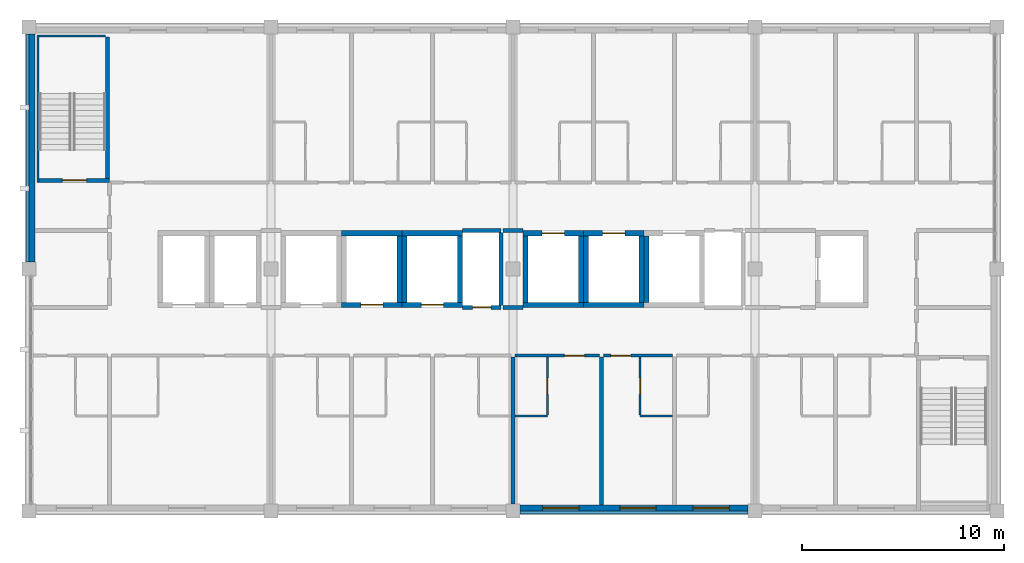
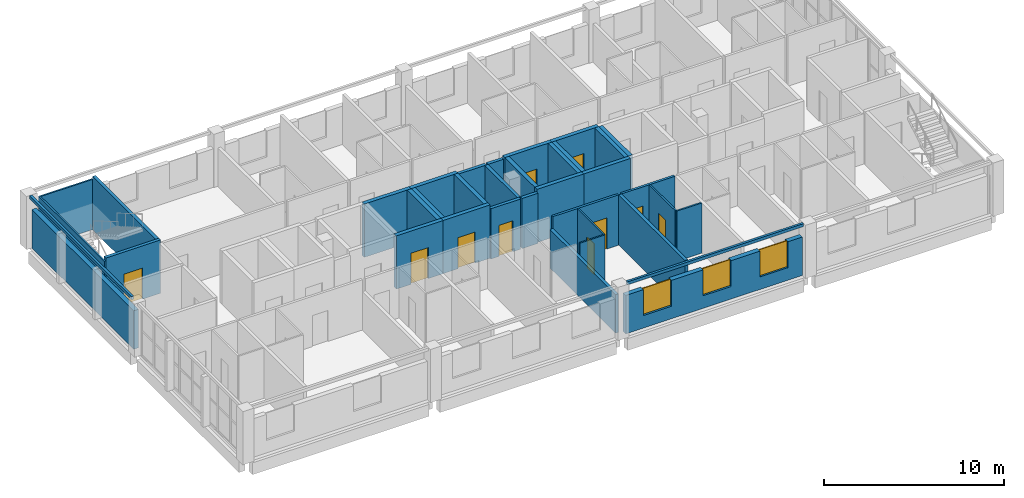
# One storey, part 7 of 11: 37 walls, 10 doors, 3 windows, 13 openings.
"""IFC4 building model written with IfcOpenShell, lengths in metres."""

from ifc_helpers import new_model, si_unit, direction, frame, frame_2d, origin, place, context, subcontext, project, spatial, rectangle, extrude, material, layer, layer_set, type_object, element, fill, save


model = new_model("IFC4")

# Units and contexts
model_context = context("Model", 3, precision=1e-05, world=origin(), true_north=direction((0.0, 1.0)))
body_context = subcontext(model_context, "Body", "Model", "MODEL_VIEW")
ifc_project = project(units=[si_unit("LENGTHUNIT", "METRE"), si_unit("AREAUNIT", "SQUARE_METRE"), si_unit("VOLUMEUNIT", "CUBIC_METRE"), si_unit("PLANEANGLEUNIT", "RADIAN"), si_unit("MASSUNIT", "GRAM", prefix="KILO")], contexts=[model_context])

# Site, building, storey
site_placement = place(None, origin())
site = spatial("IfcSite", under=ifc_project, at=site_placement, CompositionType="ELEMENT")
building_placement = place(site_placement, origin())
building = spatial("IfcBuilding", under=site, at=building_placement, Name="Lilac Gate Convention Centre", CompositionType="ELEMENT")
storey_placement = place(building_placement, frame((0.0, 0.0, 57.0)))
storey = spatial("IfcBuildingStorey", under=building, at=storey_placement, Name="L14", CompositionType="ELEMENT", Elevation=57.0)

# Walls
ifc_material_1 = material(Name="Concrete C40", Category="concrete")
ifc_layer_1 = layer(ifc_material_1, 0.10009765625)
ifc_layer_set_1 = layer_set([ifc_layer_1], Name="Concrete C40")
wall_type_1 = type_object("IfcWallType", Name="Core wall 100 C40", PredefinedType="SHEAR", material=ifc_layer_set_1)
wall_1_placement = place(storey_placement, frame((42.449951171875, 238.300048828125, 0.0), z_axis=(0.0, 0.0, 1.0), x_axis=(0.0, 1.0, 0.0)))
element("IfcWall", 1, at=wall_1_placement, inside=storey, type_object=wall_type_1, Name="CRW10 core wall TS-WX L14 1", PredefinedType="SHEAR", context=body_context, shape_type="SweptSolid", body=[
    extrude(rectangle(XDim=7.300048828125, YDim=0.10009765625, at=frame_2d((3.64990234375, 0.0))), origin(), (0.0, 0.0, 1.0), 3.39990234375),
])
wall_2_placement = place(storey_placement, frame((42.5, 245.550048828125, 0.0), z_axis=(0.0, 0.0, 1.0), x_axis=(1.0, 0.0, 0.0)))
element("IfcWall", 2, at=wall_2_placement, inside=storey, type_object=wall_type_1, Name="CRW10 core wall TS-WX L14 2", PredefinedType="SHEAR", context=body_context, shape_type="SweptSolid", body=[
    extrude(rectangle(XDim=3.300048828125, YDim=0.10009765625, at=frame_2d((1.64990234375, 0.0))), origin(), (0.0, 0.0, 1.0), 3.39990234375),
])

# Wall, opening, door
ifc_layer_2 = layer(ifc_material_1, 0.199951171875)
ifc_layer_set_2 = layer_set([ifc_layer_2], Name="Concrete C40")
wall_type_2 = type_object("IfcWallType", Name="Core wall 200 C40", PredefinedType="SHEAR", material=ifc_layer_set_2)
wall_3_placement = place(storey_placement, frame((42.5, 238.39990234375, 0.0), z_axis=(0.0, 0.0, 1.0), x_axis=(1.0, 0.0, 0.0)))
wall_3 = element("IfcWall", 3, at=wall_3_placement, inside=storey, type_object=wall_type_2, Name="CRW7 core wall TS-W L14 1", PredefinedType="SHEAR", context=body_context, shape_type="SweptSolid", body=[
    extrude(rectangle(XDim=3.5, YDim=0.199951171875, at=frame_2d((1.75, 0.0))), origin(), (0.0, 0.0, 1.0), 3.60009765625),
])
opening_1_placement = place(wall_3_placement, frame((1.14990234375, 0.0, 0.0)))
opening_1 = element("IfcOpeningElement", 4, at=opening_1_placement, cuts=wall_3, Name="Opening T13-056", PredefinedType="OPENING", context=body_context, shape_type="SweptSolid", body=[
    extrude(rectangle(XDim=1.199951171875, YDim=2.10009765625, at=frame_2d((0.60009765625, 1.050048828125))), frame((0.0, 0.10986328125, 0.0), z_axis=(0.0, -1.0, 0.0), x_axis=(1.0, 0.0, 0.0)), (0.0, 0.0, 1.0), 0.219970703125),
])
ifc_material_2 = material(Name="Steel Q235B", Category="steel")
door_type_1 = type_object("IfcDoorType", Name="Stair door 1200", OperationType="SINGLE_SWING_LEFT", PredefinedType="DOOR", material=ifc_material_2)
door_1_placement = place(opening_1_placement, origin())
door_1 = element("IfcDoor", 5, at=door_1_placement, inside=storey, type_object=door_type_1, Name="Stair door NW L14", OperationType="SINGLE_SWING_RIGHT", OverallHeight=2.10009765625, OverallWidth=1.199951171875, PredefinedType="DOOR", context=body_context, shape_type="SweptSolid", body=[
    extrude(rectangle(XDim=1.199951171875, YDim=2.10009765625, at=frame_2d((0.60009765625, 1.050048828125))), frame((0.0, 0.02490234375, 0.0), z_axis=(0.0, -1.0, 0.0), x_axis=(1.0, 0.0, 0.0)), (0.0, 0.0, 1.0), 0.050048828125),
])
fill(opening_1, door_1)

# Wall
wall_4_placement = place(storey_placement, frame((45.89990234375, 238.5, 0.0), z_axis=(0.0, 0.0, 1.0), x_axis=(0.0, 1.0, 0.0)))
element("IfcWall", 6, at=wall_4_placement, inside=storey, type_object=wall_type_2, Name="CRW7 core wall TS-W L14 2", PredefinedType="SHEAR", context=body_context, shape_type="SweptSolid", body=[
    extrude(rectangle(XDim=7.0, YDim=0.199951171875, at=frame_2d((3.5, 0.0))), origin(), (0.0, 0.0, 1.0), 3.60009765625),
])

# Wall, opening, door
ifc_layer_3 = layer(ifc_material_1, 0.25)
ifc_layer_set_3 = layer_set([ifc_layer_3], Name="Concrete C40")
wall_type_3 = type_object("IfcWallType", Name="Core wall 250 C40", PredefinedType="SHEAR", material=ifc_layer_set_3)
wall_5_placement = place(storey_placement, frame((57.5, 232.22509765625, 0.0), z_axis=(0.0, 0.0, 1.0), x_axis=(1.0, 0.0, 0.0)))
wall_5 = element("IfcWall", 7, at=wall_5_placement, inside=storey, type_object=wall_type_3, Name="CRW5 core wall TC L14 5", PredefinedType="SHEAR", context=body_context, shape_type="SweptSolid", body=[
    extrude(rectangle(XDim=3.0, YDim=0.25, at=frame_2d((1.5, 0.0))), origin(), (0.0, 0.0, 1.0), 3.60009765625),
])
opening_2_placement = place(wall_5_placement, frame((0.949951171875, 0.0, 0.0)))
opening_2 = element("IfcOpeningElement", 8, at=opening_2_placement, cuts=wall_5, Name="Opening T13-048", PredefinedType="OPENING", context=body_context, shape_type="SweptSolid", body=[
    extrude(rectangle(XDim=1.10009765625, YDim=2.10009765625, at=frame_2d((0.550048828125, 1.050048828125))), frame((0.0, 0.135009765625, 0.0), z_axis=(0.0, -1.0, 0.0), x_axis=(1.0, 0.0, 0.0)), (0.0, 0.0, 1.0), 0.27001953125),
])
ifc_material_3 = material(Name="Stainless steel 304", Category="steel")
door_type_2 = type_object("IfcDoorType", Name="Lift landing door 1100", OperationType="SLIDING_TO_LEFT", PredefinedType="DOOR", material=ifc_material_3)
door_2_placement = place(opening_2_placement, origin())
door_2 = element("IfcDoor", 9, at=door_2_placement, inside=storey, type_object=door_type_2, Name="Lift landing door TP2 L14", OperationType="SLIDING_TO_LEFT", OverallHeight=2.10009765625, OverallWidth=1.10009765625, PredefinedType="DOOR", context=body_context, shape_type="SweptSolid", body=[
    extrude(rectangle(XDim=1.10009765625, YDim=2.10009765625, at=frame_2d((0.550048828125, 1.050048828125))), frame((0.0, 0.02490234375, 0.0), z_axis=(0.0, -1.0, 0.0), x_axis=(1.0, 0.0, 0.0)), (0.0, 0.0, 1.0), 0.050048828125),
])
fill(opening_2, door_2)

# Walls
wall_6_placement = place(storey_placement, frame((57.5, 235.77490234375, 0.0), z_axis=(0.0, 0.0, 1.0), x_axis=(1.0, 0.0, 0.0)))
element("IfcWall", 10, at=wall_6_placement, inside=storey, type_object=wall_type_3, Name="CRW5 core wall TC L14 6", PredefinedType="SHEAR", context=body_context, shape_type="SweptSolid", body=[
    extrude(rectangle(XDim=3.0, YDim=0.25, at=frame_2d((1.5, 0.0))), origin(), (0.0, 0.0, 1.0), 3.60009765625),
])
wall_7_placement = place(storey_placement, frame((60.375, 232.35009765625, 0.0), z_axis=(0.0, 0.0, 1.0), x_axis=(0.0, 1.0, 0.0)))
element("IfcWall", 11, at=wall_7_placement, inside=storey, type_object=wall_type_3, Name="CRW5 core wall TC L14 8", PredefinedType="SHEAR", context=body_context, shape_type="SweptSolid", body=[
    extrude(rectangle(XDim=3.2998046875, YDim=0.25, at=frame_2d((1.64990234375, 0.0))), origin(), (0.0, 0.0, 1.0), 3.60009765625),
])

# Wall, opening, door
wall_8_placement = place(storey_placement, frame((60.5, 232.22509765625, 0.0), z_axis=(0.0, 0.0, 1.0), x_axis=(1.0, 0.0, 0.0)))
wall_8 = element("IfcWall", 12, at=wall_8_placement, inside=storey, type_object=wall_type_3, Name="CRW5 core wall TC L14 9", PredefinedType="SHEAR", context=body_context, shape_type="SweptSolid", body=[
    extrude(rectangle(XDim=3.0, YDim=0.25, at=frame_2d((1.5, 0.0))), origin(), (0.0, 0.0, 1.0), 3.60009765625),
])
opening_3_placement = place(wall_8_placement, frame((0.949951171875, 0.0, 0.0)))
opening_3 = element("IfcOpeningElement", 13, at=opening_3_placement, cuts=wall_8, Name="Opening T13-049", PredefinedType="OPENING", context=body_context, shape_type="SweptSolid", body=[
    extrude(rectangle(XDim=1.10009765625, YDim=2.10009765625, at=frame_2d((0.550048828125, 1.050048828125))), frame((0.0, 0.135009765625, 0.0), z_axis=(0.0, -1.0, 0.0), x_axis=(1.0, 0.0, 0.0)), (0.0, 0.0, 1.0), 0.27001953125),
])
door_3_placement = place(opening_3_placement, origin())
door_3 = element("IfcDoor", 14, at=door_3_placement, inside=storey, type_object=door_type_2, Name="Lift landing door TP3 L14", OperationType="SLIDING_TO_LEFT", OverallHeight=2.10009765625, OverallWidth=1.10009765625, PredefinedType="DOOR", context=body_context, shape_type="SweptSolid", body=[
    extrude(rectangle(XDim=1.10009765625, YDim=2.10009765625, at=frame_2d((0.550048828125, 1.050048828125))), frame((0.0, 0.02490234375, 0.0), z_axis=(0.0, -1.0, 0.0), x_axis=(1.0, 0.0, 0.0)), (0.0, 0.0, 1.0), 0.050048828125),
])
fill(opening_3, door_3)

# Walls
wall_9_placement = place(storey_placement, frame((60.5, 235.77490234375, 0.0), z_axis=(0.0, 0.0, 1.0), x_axis=(1.0, 0.0, 0.0)))
element("IfcWall", 15, at=wall_9_placement, inside=storey, type_object=wall_type_3, Name="CRW5 core wall TC L14 10", PredefinedType="SHEAR", context=body_context, shape_type="SweptSolid", body=[
    extrude(rectangle(XDim=3.0, YDim=0.25, at=frame_2d((1.5, 0.0))), origin(), (0.0, 0.0, 1.0), 3.60009765625),
])
for number, where, z_axis, x_axis, name in (
    (16, (60.625, 232.35009765625, 0.0), (0.0, 0.0, 1.0), (0.0, 1.0, 0.0), "CRW5 core wall TC L14 11"),
    (17, (63.375, 232.35009765625, 0.0), (0.0, 0.0, 1.0), (0.0, 1.0, 0.0), "CRW5 core wall TC L14 12"),
):
    element("IfcWall", number, at=place(storey_placement, frame(where, z_axis=z_axis, x_axis=x_axis)), inside=storey, type_object=wall_type_3, Name=name, PredefinedType="SHEAR", context=body_context, shape_type="SweptSolid", body=[
        extrude(rectangle(XDim=3.2998046875, YDim=0.25, at=frame_2d((1.64990234375, 0.0))), origin(), (0.0, 0.0, 1.0), 3.60009765625),
    ])
wall_10_placement = place(storey_placement, frame((66.5, 232.22509765625, 0.0), z_axis=(0.0, 0.0, 1.0), x_axis=(1.0, 0.0, 0.0)))
element("IfcWall", 18, at=wall_10_placement, inside=storey, type_object=wall_type_3, Name="CRW5 core wall TC L14 13", PredefinedType="SHEAR", context=body_context, shape_type="SweptSolid", body=[
    extrude(rectangle(XDim=3.0, YDim=0.25, at=frame_2d((1.5, 0.0))), origin(), (0.0, 0.0, 1.0), 3.60009765625),
])

# Wall, opening, door
wall_11_placement = place(storey_placement, frame((66.5, 235.77490234375, 0.0), z_axis=(0.0, 0.0, 1.0), x_axis=(1.0, 0.0, 0.0)))
wall_11 = element("IfcWall", 19, at=wall_11_placement, inside=storey, type_object=wall_type_3, Name="CRW5 core wall TC L14 14", PredefinedType="SHEAR", context=body_context, shape_type="SweptSolid", body=[
    extrude(rectangle(XDim=3.0, YDim=0.25, at=frame_2d((1.5, 0.0))), origin(), (0.0, 0.0, 1.0), 3.60009765625),
])
opening_4_placement = place(wall_11_placement, frame((0.949951171875, 0.0, 0.0)))
opening_4 = element("IfcOpeningElement", 20, at=opening_4_placement, cuts=wall_11, Name="Opening T13-050", PredefinedType="OPENING", context=body_context, shape_type="SweptSolid", body=[
    extrude(rectangle(XDim=1.10009765625, YDim=2.10009765625, at=frame_2d((0.550048828125, 1.050048828125))), frame((0.0, 0.135009765625, 0.0), z_axis=(0.0, -1.0, 0.0), x_axis=(1.0, 0.0, 0.0)), (0.0, 0.0, 1.0), 0.27001953125),
])
door_4_placement = place(opening_4_placement, origin())
door_4 = element("IfcDoor", 21, at=door_4_placement, inside=storey, type_object=door_type_2, Name="Lift landing door TP4 L14", OperationType="SLIDING_TO_LEFT", OverallHeight=2.10009765625, OverallWidth=1.10009765625, PredefinedType="DOOR", context=body_context, shape_type="SweptSolid", body=[
    extrude(rectangle(XDim=1.10009765625, YDim=2.10009765625, at=frame_2d((0.550048828125, 1.050048828125))), frame((0.0, 0.02490234375, 0.0), z_axis=(0.0, -1.0, 0.0), x_axis=(1.0, 0.0, 0.0)), (0.0, 0.0, 1.0), 0.050048828125),
])
fill(opening_4, door_4)

# Walls
for number, where, z_axis, x_axis, name in (
    (22, (66.625, 232.35009765625, 0.0), (0.0, 0.0, 1.0), (0.0, 1.0, 0.0), "CRW5 core wall TC L14 15"),
    (23, (69.375, 232.35009765625, 0.0), (0.0, 0.0, 1.0), (0.0, 1.0, 0.0), "CRW5 core wall TC L14 16"),
):
    element("IfcWall", number, at=place(storey_placement, frame(where, z_axis=z_axis, x_axis=x_axis)), inside=storey, type_object=wall_type_3, Name=name, PredefinedType="SHEAR", context=body_context, shape_type="SweptSolid", body=[
        extrude(rectangle(XDim=3.2998046875, YDim=0.25, at=frame_2d((1.64990234375, 0.0))), origin(), (0.0, 0.0, 1.0), 3.60009765625),
    ])
wall_12_placement = place(storey_placement, frame((69.5, 232.22509765625, 0.0), z_axis=(0.0, 0.0, 1.0), x_axis=(1.0, 0.0, 0.0)))
element("IfcWall", 24, at=wall_12_placement, inside=storey, type_object=wall_type_3, Name="CRW5 core wall TC L14 17", PredefinedType="SHEAR", context=body_context, shape_type="SweptSolid", body=[
    extrude(rectangle(XDim=3.0, YDim=0.25, at=frame_2d((1.5, 0.0))), origin(), (0.0, 0.0, 1.0), 3.60009765625),
])

# Wall, opening, door
wall_13_placement = place(storey_placement, frame((69.5, 235.77490234375, 0.0), z_axis=(0.0, 0.0, 1.0), x_axis=(1.0, 0.0, 0.0)))
wall_13 = element("IfcWall", 25, at=wall_13_placement, inside=storey, type_object=wall_type_3, Name="CRW5 core wall TC L14 18", PredefinedType="SHEAR", context=body_context, shape_type="SweptSolid", body=[
    extrude(rectangle(XDim=3.0, YDim=0.25, at=frame_2d((1.5, 0.0))), origin(), (0.0, 0.0, 1.0), 3.60009765625),
])
opening_5_placement = place(wall_13_placement, frame((0.949951171875, 0.0, 0.0)))
opening_5 = element("IfcOpeningElement", 26, at=opening_5_placement, cuts=wall_13, Name="Opening T13-051", PredefinedType="OPENING", context=body_context, shape_type="SweptSolid", body=[
    extrude(rectangle(XDim=1.10009765625, YDim=2.10009765625, at=frame_2d((0.550048828125, 1.050048828125))), frame((0.0, 0.135009765625, 0.0), z_axis=(0.0, -1.0, 0.0), x_axis=(1.0, 0.0, 0.0)), (0.0, 0.0, 1.0), 0.27001953125),
])
door_5_placement = place(opening_5_placement, origin())
door_5 = element("IfcDoor", 27, at=door_5_placement, inside=storey, type_object=door_type_2, Name="Lift landing door TP5 L14", OperationType="SLIDING_TO_LEFT", OverallHeight=2.10009765625, OverallWidth=1.10009765625, PredefinedType="DOOR", context=body_context, shape_type="SweptSolid", body=[
    extrude(rectangle(XDim=1.10009765625, YDim=2.10009765625, at=frame_2d((0.550048828125, 1.050048828125))), frame((0.0, 0.02490234375, 0.0), z_axis=(0.0, -1.0, 0.0), x_axis=(1.0, 0.0, 0.0)), (0.0, 0.0, 1.0), 0.050048828125),
])
fill(opening_5, door_5)

# Walls
for number, where, z_axis, x_axis, name in (
    (28, (69.625, 232.35009765625, 0.0), (0.0, 0.0, 1.0), (0.0, 1.0, 0.0), "CRW5 core wall TC L14 19"),
    (29, (72.375, 232.35009765625, 0.0), (0.0, 0.0, 1.0), (0.0, 1.0, 0.0), "CRW5 core wall TC L14 20"),
    (30, (72.625, 232.35009765625, 0.0), (0.0, 0.0, 1.0), (0.0, 1.0, 0.0), "CRW5 core wall TC L14 23"),
):
    element("IfcWall", number, at=place(storey_placement, frame(where, z_axis=z_axis, x_axis=x_axis)), inside=storey, type_object=wall_type_3, Name=name, PredefinedType="SHEAR", context=body_context, shape_type="SweptSolid", body=[
        extrude(rectangle(XDim=3.2998046875, YDim=0.25, at=frame_2d((1.64990234375, 0.0))), origin(), (0.0, 0.0, 1.0), 3.60009765625),
    ])

# Wall, opening, door
ifc_material_4 = material(Name="Gypsum board on steel stud", Category="steel")
ifc_layer_4 = layer(ifc_material_4, 0.14990234375)
ifc_layer_set_4 = layer_set([ifc_layer_4], Name="Gypsum board on steel stud")
wall_type_4 = type_object("IfcWallType", Name="Corridor wall 150", PredefinedType="PARTITIONING", material=ifc_layer_set_4)
wall_14_placement = place(storey_placement, frame((70.300048828125, 229.699951171875, 0.0), z_axis=(0.0, 0.0, 1.0), x_axis=(-1.0, 0.0, 0.0)))
wall_14 = element("IfcWall", 31, at=wall_14_placement, inside=storey, type_object=wall_type_4, Name="Corridor wall 150 front 1406", PredefinedType="PARTITIONING", context=body_context, shape_type="SweptSolid", body=[
    extrude(rectangle(XDim=4.199951171875, YDim=0.14990234375, at=frame_2d((2.10009765625, 0.0))), origin(), (0.0, 0.0, 1.0), 3.39990234375),
])
opening_6_placement = place(wall_14_placement, frame((0.75, 0.0, 0.0)))
opening_6 = element("IfcOpeningElement", 32, at=opening_6_placement, cuts=wall_14, Name="Opening T13-018", PredefinedType="OPENING", context=body_context, shape_type="SweptSolid", body=[
    extrude(rectangle(XDim=1.0, YDim=2.10009765625, at=frame_2d((0.5, 1.050048828125))), frame((0.0, 0.0849609375, 0.0), z_axis=(0.0, -1.0, 0.0), x_axis=(1.0, 0.0, 0.0)), (0.0, 0.0, 1.0), 0.169921875),
])
ifc_material_5 = material(Name="Timber", Category="wood")
door_type_3 = type_object("IfcDoorType", Name="Guest room entrance door 1000", OperationType="SINGLE_SWING_LEFT", PredefinedType="DOOR", material=ifc_material_5)
door_6_placement = place(opening_6_placement, origin())
door_6 = element("IfcDoor", 33, at=door_6_placement, inside=storey, type_object=door_type_3, Name="Guest room door 1406", OperationType="SINGLE_SWING_LEFT", OverallHeight=2.10009765625, OverallWidth=1.0, PredefinedType="DOOR", context=body_context, shape_type="SweptSolid", body=[
    extrude(rectangle(XDim=1.0, YDim=2.10009765625, at=frame_2d((0.5, 1.050048828125))), frame((0.0, 0.02490234375, 0.0), z_axis=(0.0, -1.0, 0.0), x_axis=(1.0, 0.0, 0.0)), (0.0, 0.0, 1.0), 0.050048828125),
])
fill(opening_6, door_6)

wall_15_placement = place(storey_placement, frame((73.89990234375, 229.699951171875, 0.0), z_axis=(0.0, 0.0, 1.0), x_axis=(-1.0, 0.0, 0.0)))
wall_15 = element("IfcWall", 34, at=wall_15_placement, inside=storey, type_object=wall_type_4, Name="Corridor wall 150 front 1407", PredefinedType="PARTITIONING", context=body_context, shape_type="SweptSolid", body=[
    extrude(rectangle(XDim=3.39990234375, YDim=0.14990234375, at=frame_2d((1.699951171875, 0.0))), origin(), (0.0, 0.0, 1.0), 3.39990234375),
])
opening_7_placement = place(wall_15_placement, frame((2.050048828125, 0.0, 0.0)))
opening_7 = element("IfcOpeningElement", 35, at=opening_7_placement, cuts=wall_15, Name="Opening T13-020", PredefinedType="OPENING", context=body_context, shape_type="SweptSolid", body=[
    extrude(rectangle(XDim=1.0, YDim=2.10009765625, at=frame_2d((0.5, 1.050048828125))), frame((0.0, 0.0849609375, 0.0), z_axis=(0.0, -1.0, 0.0), x_axis=(1.0, 0.0, 0.0)), (0.0, 0.0, 1.0), 0.169921875),
])
door_7_placement = place(opening_7_placement, origin())
door_7 = element("IfcDoor", 36, at=door_7_placement, inside=storey, type_object=door_type_3, Name="Guest room door 1407", OperationType="SINGLE_SWING_LEFT", OverallHeight=2.10009765625, OverallWidth=1.0, PredefinedType="DOOR", context=body_context, shape_type="SweptSolid", body=[
    extrude(rectangle(XDim=1.0, YDim=2.10009765625, at=frame_2d((0.5, 1.050048828125))), frame((0.0, 0.02490234375, 0.0), z_axis=(0.0, -1.0, 0.0), x_axis=(1.0, 0.0, 0.0)), (0.0, 0.0, 1.0), 0.050048828125),
])
fill(opening_7, door_7)

# Wall
ifc_layer_5 = layer(ifc_material_4, 0.10009765625)
ifc_layer_set_5 = layer_set([ifc_layer_5], Name="Gypsum board on steel stud")
wall_type_5 = type_object("IfcWallType", Name="En-suite wall 100", PredefinedType="PARTITIONING", material=ifc_layer_set_5)
wall_16_placement = place(storey_placement, frame((66.10009765625, 226.699951171875, 0.0), z_axis=(0.0, 0.0, 1.0), x_axis=(1.0, 0.0, 0.0)))
element("IfcWall", 37, at=wall_16_placement, inside=storey, type_object=wall_type_5, Name="En-suite wall 100 bath 1406", PredefinedType="PARTITIONING", context=body_context, shape_type="SweptSolid", body=[
    extrude(rectangle(XDim=1.599853515625, YDim=0.10009765625, at=frame_2d((0.7998046875, 0.0))), origin(), (0.0, 0.0, 1.0), 3.39990234375),
])

# Wall, opening, door
wall_17_placement = place(storey_placement, frame((67.699951171875, 229.625, 0.0), z_axis=(0.0, 0.0, 1.0), x_axis=(0.0, -1.0, 0.0)))
wall_17 = element("IfcWall", 38, at=wall_17_placement, inside=storey, type_object=wall_type_5, Name="En-suite wall 100 bath side 1406", PredefinedType="PARTITIONING", context=body_context, shape_type="SweptSolid", body=[
    extrude(rectangle(XDim=2.875, YDim=0.10009765625, at=frame_2d((1.4375, 0.0))), origin(), (0.0, 0.0, 1.0), 3.39990234375),
])
opening_8_placement = place(wall_17_placement, frame((1.03759765625, 0.0, 0.0)))
opening_8 = element("IfcOpeningElement", 39, at=opening_8_placement, cuts=wall_17, Name="Opening T13-019", PredefinedType="OPENING", context=body_context, shape_type="SweptSolid", body=[
    extrude(rectangle(XDim=0.800048828125, YDim=2.10009765625, at=frame_2d((0.39990234375, 1.050048828125))), frame((0.0, 0.06005859375, 0.0), z_axis=(0.0, -1.0, 0.0), x_axis=(1.0, 0.0, 0.0)), (0.0, 0.0, 1.0), 0.1201171875),
])
door_type_4 = type_object("IfcDoorType", Name="En-suite door 800", OperationType="SINGLE_SWING_LEFT", PredefinedType="DOOR", material=ifc_material_5)
door_8_placement = place(opening_8_placement, origin())
door_8 = element("IfcDoor", 40, at=door_8_placement, inside=storey, type_object=door_type_4, Name="En-suite door 1406", OperationType="SINGLE_SWING_LEFT", OverallHeight=2.10009765625, OverallWidth=0.800048828125, PredefinedType="DOOR", context=body_context, shape_type="SweptSolid", body=[
    extrude(rectangle(XDim=0.800048828125, YDim=2.10009765625, at=frame_2d((0.39990234375, 1.050048828125))), frame((0.0, 0.02490234375, 0.0), z_axis=(0.0, -1.0, 0.0), x_axis=(1.0, 0.0, 0.0)), (0.0, 0.0, 1.0), 0.050048828125),
])
fill(opening_8, door_8)

# Wall
wall_18_placement = place(storey_placement, frame((72.300048828125, 226.699951171875, 0.0), z_axis=(0.0, 0.0, 1.0), x_axis=(1.0, 0.0, 0.0)))
element("IfcWall", 41, at=wall_18_placement, inside=storey, type_object=wall_type_5, Name="En-suite wall 100 bath 1407", PredefinedType="PARTITIONING", context=body_context, shape_type="SweptSolid", body=[
    extrude(rectangle(XDim=1.599853515625, YDim=0.10009765625, at=frame_2d((0.7998046875, 0.0))), origin(), (0.0, 0.0, 1.0), 3.39990234375),
])

# Wall, opening, door
wall_19_placement = place(storey_placement, frame((72.300048828125, 226.75, 0.0), z_axis=(0.0, 0.0, 1.0), x_axis=(0.0, 1.0, 0.0)))
wall_19 = element("IfcWall", 42, at=wall_19_placement, inside=storey, type_object=wall_type_5, Name="En-suite wall 100 bath side 1407", PredefinedType="PARTITIONING", context=body_context, shape_type="SweptSolid", body=[
    extrude(rectangle(XDim=2.875, YDim=0.10009765625, at=frame_2d((1.4375, 0.0))), origin(), (0.0, 0.0, 1.0), 3.39990234375),
])
opening_9_placement = place(wall_19_placement, frame((1.03759765625, 0.0, 0.0)))
opening_9 = element("IfcOpeningElement", 43, at=opening_9_placement, cuts=wall_19, Name="Opening T13-021", PredefinedType="OPENING", context=body_context, shape_type="SweptSolid", body=[
    extrude(rectangle(XDim=0.800048828125, YDim=2.10009765625, at=frame_2d((0.39990234375, 1.050048828125))), frame((0.0, 0.06005859375, 0.0), z_axis=(0.0, -1.0, 0.0), x_axis=(1.0, 0.0, 0.0)), (0.0, 0.0, 1.0), 0.1201171875),
])
door_9_placement = place(opening_9_placement, origin())
door_9 = element("IfcDoor", 44, at=door_9_placement, inside=storey, type_object=door_type_4, Name="En-suite door 1407", OperationType="SINGLE_SWING_RIGHT", OverallHeight=2.10009765625, OverallWidth=0.800048828125, PredefinedType="DOOR", context=body_context, shape_type="SweptSolid", body=[
    extrude(rectangle(XDim=0.800048828125, YDim=2.10009765625, at=frame_2d((0.39990234375, 1.050048828125))), frame((0.0, 0.02490234375, 0.0), z_axis=(0.0, -1.0, 0.0), x_axis=(1.0, 0.0, 0.0)), (0.0, 0.0, 1.0), 0.050048828125),
])
fill(opening_9, door_9)

# Walls
ifc_layer_6 = layer(ifc_material_4, 0.199951171875)
ifc_layer_set_6 = layer_set([ifc_layer_6], Name="Gypsum board on steel stud")
wall_type_6 = type_object("IfcWallType", Name="Guest room party wall 200", PredefinedType="PARTITIONING", material=ifc_layer_set_6)
wall_20_placement = place(storey_placement, frame((66.0, 222.35009765625, 0.0), z_axis=(0.0, 0.0, 1.0), x_axis=(0.0, 1.0, 0.0)))
element("IfcWall", 45, at=wall_20_placement, inside=storey, type_object=wall_type_6, Name="Guest room party wall 200 party 66.0", PredefinedType="PARTITIONING", context=body_context, shape_type="SweptSolid", body=[
    extrude(rectangle(XDim=7.27490234375, YDim=0.199951171875, at=frame_2d((3.637451171875, 0.0))), origin(), (0.0, 0.0, 1.0), 2.60009765625),
])
wall_21_placement = place(storey_placement, frame((70.39990234375, 222.2998046875, 0.0), z_axis=(0.0, 0.0, 1.0), x_axis=(0.0, 1.0, 0.0)))
element("IfcWall", 46, at=wall_21_placement, inside=storey, type_object=wall_type_6, Name="Guest room party wall 200 party 70.4", PredefinedType="PARTITIONING", context=body_context, shape_type="SweptSolid", body=[
    extrude(rectangle(XDim=7.3251953125, YDim=0.199951171875, at=frame_2d((3.66259765625, 0.0))), origin(), (0.0, 0.0, 1.0), 3.39990234375),
])
ifc_material_6 = material(Name="Concrete C40 precast", Category="concrete")
ifc_layer_7 = layer(ifc_material_6, 0.1298828125)
ifc_material_7 = material(Name="Ochre mineral render")
ifc_layer_8 = layer(ifc_material_7, 0.02001953125)
ifc_layer_set_7 = layer_set([ifc_layer_7, ifc_layer_8], Name="Concrete C40 precast, Ochre mineral render")
wall_type_7 = type_object("IfcWallType", Name="Precast band ochre 150", PredefinedType="STANDARD", material=ifc_layer_set_7)
for number, where, z_axis, x_axis, name in (
    (47, (66.35009765625, 221.925048828125, 3.39990234375), (0.0, 0.0, 1.0), (1.0, 0.0, 0.0), "Precast band S L14 3"),
    (48, (41.925048828125, 245.64990234375, 3.39990234375), (0.0, 0.0, 1.0), (0.0, -1.0, 0.0), "Precast band W L14 1"),
):
    element("IfcWall", number, at=place(storey_placement, frame(where, z_axis=z_axis, x_axis=x_axis)), inside=storey, type_object=wall_type_7, Name=name, PredefinedType="STANDARD", context=body_context, shape_type="SweptSolid", body=[
        extrude(rectangle(XDim=11.2998046875, YDim=0.14990234375, at=frame_2d((5.64990234375, 0.0))), origin(), (0.0, 0.0, 1.0), 0.2001953125),
    ])

# Wall, openings, windows
ifc_material_8 = material(Name="Terracotta glazed cladding", Category="masonry")
ifc_layer_9 = layer(ifc_material_8, 0.02001953125)
ifc_layer_10 = layer(ifc_material_6, 0.06005859375)
ifc_material_9 = material(Name="Ventilated air cavity")
ifc_layer_11 = layer(ifc_material_9, 0.030029296875)
ifc_material_10 = material(Name="Mineral wool insulation")
ifc_layer_12 = layer(ifc_material_10, 0.1201171875)
ifc_material_11 = material(Name="Steel stud Q345 and gypsum lining", Category="steel")
ifc_layer_13 = layer(ifc_material_11, 0.070068359375)
ifc_layer_set_8 = layer_set([ifc_layer_9, ifc_layer_10, ifc_layer_11, ifc_layer_12, ifc_layer_13], Name="Terracotta glazed cladding, Concrete C40 precast, Ventilated air cavity, Mineral wool insulation, Steel stud Q345 and gypsum lining")
wall_type_8 = type_object("IfcWallType", Name="Precast panel wall terracotta 300", PredefinedType="STANDARD", material=ifc_layer_set_8)
wall_22_placement = place(storey_placement, frame((66.35009765625, 222.14990234375, 0.0), z_axis=(0.0, 0.0, 1.0), x_axis=(1.0, 0.0, 0.0)))
wall_22 = element("IfcWall", 49, at=wall_22_placement, inside=storey, type_object=wall_type_8, Name="External wall S L14 3", PredefinedType="STANDARD", context=body_context, shape_type="SweptSolid", body=[
    extrude(rectangle(XDim=11.2998046875, YDim=0.300048828125, at=frame_2d((5.64990234375, 0.0))), origin(), (0.0, 0.0, 1.0), 2.60009765625),
])
opening_10_placement = place(wall_22_placement, frame((1.125, 0.0, 0.85009765625)))
opening_10 = element("IfcOpeningElement", 50, at=opening_10_placement, cuts=wall_22, Name="Opening W1", PredefinedType="OPENING", context=body_context, shape_type="SweptSolid", body=[
    extrude(rectangle(XDim=1.800048828125, YDim=1.75, at=frame_2d((0.89990234375, 0.875))), frame((0.0, 0.159912109375, 0.0), z_axis=(0.0, -1.0, 0.0), x_axis=(1.0, 0.0, 0.0)), (0.0, 0.0, 1.0), 0.320068359375),
])
opening_11_placement = place(wall_22_placement, frame((4.949951171875, 0.0, 0.85009765625)))
opening_11 = element("IfcOpeningElement", 51, at=opening_11_placement, cuts=wall_22, Name="Opening W1", PredefinedType="OPENING", context=body_context, shape_type="SweptSolid", body=[
    extrude(rectangle(XDim=1.800048828125, YDim=1.75, at=frame_2d((0.89990234375, 0.875))), frame((0.0, 0.159912109375, 0.0), z_axis=(0.0, -1.0, 0.0), x_axis=(1.0, 0.0, 0.0)), (0.0, 0.0, 1.0), 0.320068359375),
])
opening_12_placement = place(wall_22_placement, frame((8.574951171875, 0.0, 0.85009765625)))
opening_12 = element("IfcOpeningElement", 52, at=opening_12_placement, cuts=wall_22, Name="Opening W1", PredefinedType="OPENING", context=body_context, shape_type="SweptSolid", body=[
    extrude(rectangle(XDim=1.800048828125, YDim=1.75, at=frame_2d((0.89990234375, 0.875))), frame((0.0, 0.159912109375, 0.0), z_axis=(0.0, -1.0, 0.0), x_axis=(1.0, 0.0, 0.0)), (0.0, 0.0, 1.0), 0.320068359375),
])
ifc_material_12 = material(Name="Aluminium framed double glazing", Category="aluminium")
window_type = type_object("IfcWindowType", Name="Guest room window 1800 x 1750", PartitioningType="DOUBLE_PANEL_VERTICAL", PredefinedType="WINDOW", material=ifc_material_12)
window_1_placement = place(opening_10_placement, origin())
window_1 = element("IfcWindow", 53, at=window_1_placement, inside=storey, type_object=window_type, Name="Window Guest S L14", OverallHeight=1.75, OverallWidth=1.800048828125, PartitioningType="SINGLE_PANEL", PredefinedType="WINDOW", context=body_context, shape_type="SweptSolid", body=[
    extrude(rectangle(XDim=1.800048828125, YDim=1.75, at=frame_2d((0.89990234375, 0.875))), frame((0.0, 0.030029296875, 0.0), z_axis=(0.0, -1.0, 0.0), x_axis=(1.0, 0.0, 0.0)), (0.0, 0.0, 1.0), 0.06005859375),
])
fill(opening_10, window_1)
window_2_placement = place(opening_11_placement, origin())
window_2 = element("IfcWindow", 54, at=window_2_placement, inside=storey, type_object=window_type, Name="Window Guest S L14", OverallHeight=1.75, OverallWidth=1.800048828125, PartitioningType="SINGLE_PANEL", PredefinedType="WINDOW", context=body_context, shape_type="SweptSolid", body=[
    extrude(rectangle(XDim=1.800048828125, YDim=1.75, at=frame_2d((0.89990234375, 0.875))), frame((0.0, 0.030029296875, 0.0), z_axis=(0.0, -1.0, 0.0), x_axis=(1.0, 0.0, 0.0)), (0.0, 0.0, 1.0), 0.06005859375),
])
fill(opening_11, window_2)
window_3_placement = place(opening_12_placement, origin())
window_3 = element("IfcWindow", 55, at=window_3_placement, inside=storey, type_object=window_type, Name="Window Guest S L14", OverallHeight=1.75, OverallWidth=1.800048828125, PartitioningType="SINGLE_PANEL", PredefinedType="WINDOW", context=body_context, shape_type="SweptSolid", body=[
    extrude(rectangle(XDim=1.800048828125, YDim=1.75, at=frame_2d((0.89990234375, 0.875))), frame((0.0, 0.030029296875, 0.0), z_axis=(0.0, -1.0, 0.0), x_axis=(1.0, 0.0, 0.0)), (0.0, 0.0, 1.0), 0.06005859375),
])
fill(opening_12, window_3)

# Wall
wall_23_placement = place(storey_placement, frame((42.14990234375, 245.64990234375, 0.0), z_axis=(0.0, 0.0, 1.0), x_axis=(0.0, -1.0, 0.0)))
element("IfcWall", 56, at=wall_23_placement, inside=storey, type_object=wall_type_8, Name="External wall W L14 1", PredefinedType="STANDARD", context=body_context, shape_type="SweptSolid", body=[
    extrude(rectangle(XDim=11.2998046875, YDim=0.300048828125, at=frame_2d((5.64990234375, 0.0))), origin(), (0.0, 0.0, 1.0), 2.60009765625),
])

# Wall, opening, door
ifc_layer_14 = layer(ifc_material_4, 0.199951171875)
ifc_layer_set_9 = layer_set([ifc_layer_14], Name="Gypsum board on steel stud")
wall_type_9 = type_object("IfcWallType", Name="Riser and store wall 200", PredefinedType="PARTITIONING", material=ifc_layer_set_9)
wall_24_placement = place(storey_placement, frame((63.5, 232.10009765625, 0.0), z_axis=(0.0, 0.0, 1.0), x_axis=(1.0, 0.0, 0.0)))
wall_24 = element("IfcWall", 57, at=wall_24_placement, inside=storey, type_object=wall_type_9, Name="Riser and store wall 200 RS1-S", PredefinedType="PARTITIONING", context=body_context, shape_type="SweptSolid", body=[
    extrude(rectangle(XDim=1.89990234375, YDim=0.199951171875, at=frame_2d((0.949951171875, 0.0))), origin(), (0.0, 0.0, 1.0), 3.39990234375),
])
opening_13_placement = place(wall_24_placement, frame((0.5, 0.0, 0.0)))
opening_13 = element("IfcOpeningElement", 58, at=opening_13_placement, cuts=wall_24, Name="Opening T13-002", PredefinedType="OPENING", context=body_context, shape_type="SweptSolid", body=[
    extrude(rectangle(XDim=0.89990234375, YDim=2.10009765625, at=frame_2d((0.449951171875, 1.050048828125))), frame((0.0, 0.10986328125, 0.0), z_axis=(0.0, -1.0, 0.0), x_axis=(1.0, 0.0, 0.0)), (0.0, 0.0, 1.0), 0.219970703125),
])
door_type_5 = type_object("IfcDoorType", Name="Riser and store door 900", OperationType="SINGLE_SWING_LEFT", PredefinedType="DOOR", material=ifc_material_2)
door_10_placement = place(opening_13_placement, origin())
door_10 = element("IfcDoor", 59, at=door_10_placement, inside=storey, type_object=door_type_5, Name="Riser room door", OperationType="SINGLE_SWING_RIGHT", OverallHeight=2.10009765625, OverallWidth=0.89990234375, PredefinedType="DOOR", context=body_context, shape_type="SweptSolid", body=[
    extrude(rectangle(XDim=0.89990234375, YDim=2.10009765625, at=frame_2d((0.449951171875, 1.050048828125))), frame((0.0, 0.02490234375, 0.0), z_axis=(0.0, -1.0, 0.0), x_axis=(1.0, 0.0, 0.0)), (0.0, 0.0, 1.0), 0.050048828125),
])
fill(opening_13, door_10)

# Walls
wall_25_placement = place(storey_placement, frame((65.5, 232.10009765625, 0.0), z_axis=(0.0, 0.0, 1.0), x_axis=(1.0, 0.0, 0.0)))
element("IfcWall", 60, at=wall_25_placement, inside=storey, type_object=wall_type_9, Name="Riser and store wall 200 NICHE2-S", PredefinedType="PARTITIONING", context=body_context, shape_type="SweptSolid", body=[
    extrude(rectangle(XDim=1.0, YDim=0.199951171875, at=frame_2d((0.5, 0.0))), origin(), (0.0, 0.0, 1.0), 3.39990234375),
])
wall_26_placement = place(storey_placement, frame((63.5, 235.89990234375, 0.0), z_axis=(0.0, 0.0, 1.0), x_axis=(1.0, 0.0, 0.0)))
element("IfcWall", 61, at=wall_26_placement, inside=storey, type_object=wall_type_9, Name="Riser and store wall 200 RS1-N", PredefinedType="PARTITIONING", context=body_context, shape_type="SweptSolid", body=[
    extrude(rectangle(XDim=1.89990234375, YDim=0.199951171875, at=frame_2d((0.949951171875, 0.0))), origin(), (0.0, 0.0, 1.0), 3.39990234375),
])
wall_27_placement = place(storey_placement, frame((65.5, 235.89990234375, 0.0), z_axis=(0.0, 0.0, 1.0), x_axis=(1.0, 0.0, 0.0)))
element("IfcWall", 62, at=wall_27_placement, inside=storey, type_object=wall_type_9, Name="Riser and store wall 200 NICHE2-N", PredefinedType="PARTITIONING", context=body_context, shape_type="SweptSolid", body=[
    extrude(rectangle(XDim=1.0, YDim=0.199951171875, at=frame_2d((0.5, 0.0))), origin(), (0.0, 0.0, 1.0), 3.39990234375),
])
wall_28_placement = place(storey_placement, frame((65.39990234375, 232.199951171875, 0.0), z_axis=(0.0, 0.0, 1.0), x_axis=(0.0, 1.0, 0.0)))
element("IfcWall", 63, at=wall_28_placement, inside=storey, type_object=wall_type_9, Name="Riser and store wall 200 RS1-E", PredefinedType="PARTITIONING", context=body_context, shape_type="SweptSolid", body=[
    extrude(rectangle(XDim=3.60009765625, YDim=0.199951171875, at=frame_2d((1.800048828125, 0.0))), origin(), (0.0, 0.0, 1.0), 3.39990234375),
])

save(model, "model.ifc")
